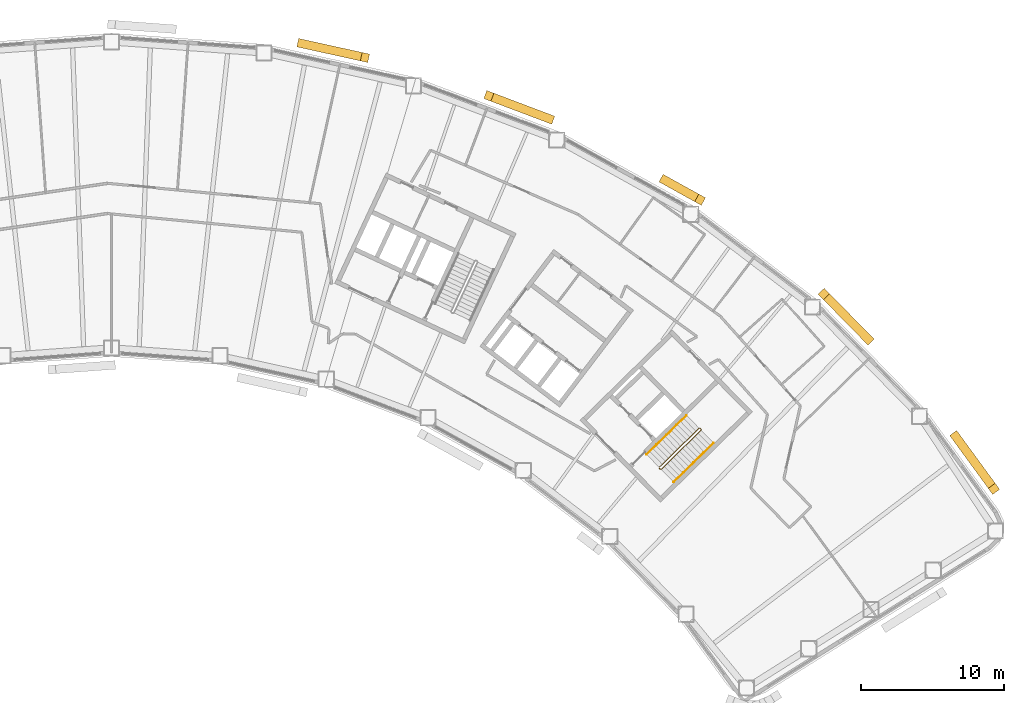
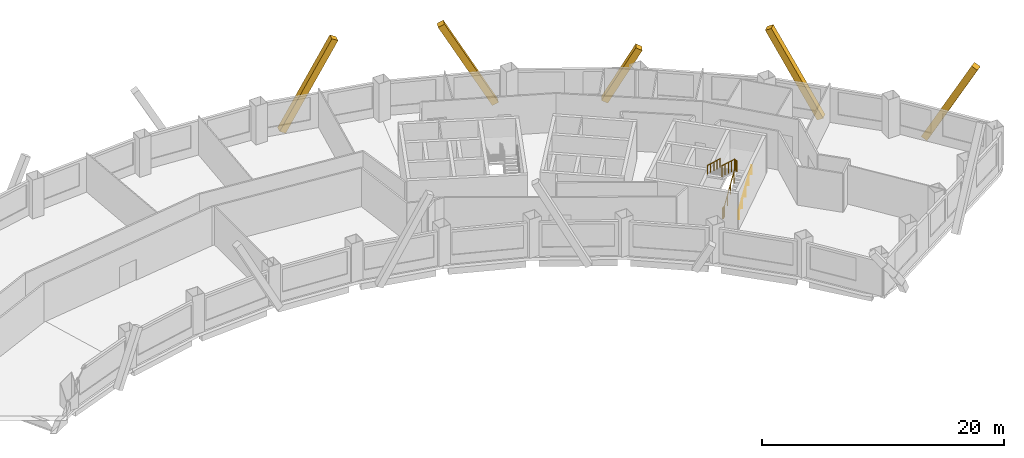
# One storey, part 11 of 11: 5 coverings, 3 railings.
"""IFC4 building model written with IfcOpenShell, lengths in metres."""

from ifc_helpers import new_model, si_unit, direction, frame, origin, origin_2d, place, context, subcontext, project, spatial, rectangle, circle, extrude, material, material_profile, profile_set, type_object, element, save


model = new_model("IFC4")

# Units and contexts
model_context = context("Model", 3, precision=1e-05, world=origin(), true_north=direction((0.0, 1.0)))
body_context = subcontext(model_context, "Body", "Model", "MODEL_VIEW")
ifc_project = project(units=[si_unit("LENGTHUNIT", "METRE"), si_unit("AREAUNIT", "SQUARE_METRE"), si_unit("VOLUMEUNIT", "CUBIC_METRE"), si_unit("PLANEANGLEUNIT", "RADIAN"), si_unit("MASSUNIT", "GRAM", prefix="KILO")], contexts=[model_context])

# Site, building, storey
site_placement = place(None, origin())
site = spatial("IfcSite", under=ifc_project, at=site_placement, CompositionType="ELEMENT")
building_placement = place(site_placement, origin())
building = spatial("IfcBuilding", under=site, at=building_placement, Name="Tuul Gate Civic Tower", CompositionType="ELEMENT")
storey_placement = place(building_placement, frame((0.0, 0.0, 116.10009765625)))
storey = spatial("IfcBuildingStorey", under=building, at=storey_placement, Name="Level 26", CompositionType="ELEMENT", Elevation=116.10009765625)

# Railings
ifc_material_1 = material(Name="Painted steel", Category="steel")
railing_type_1 = type_object("IfcRailingType", Name="Stair guard", PredefinedType="GUARDRAIL", material=ifc_material_1)
railing_1_placement = place(storey_placement, frame((48.10546875, -16.134765625, 0.0)))
element("IfcRailing", 1, at=railing_1_placement, inside=storey, type_object=railing_type_1, Name="Level 26 ST-3 stair guard 1", PredefinedType="GUARDRAIL", context=body_context, shape_type="SweptSolid", body=[
    extrude(circle(Radius=0.02392578125, at=origin_2d()), frame((0.0, 0.0, 1.076171875), z_axis=(-0.698506948293, 0.715603272202, 0.0), x_axis=(-0.715603272202, -0.698506948293, 0.0)), (0.0, 0.0, 1.0), 0.099853515625),
    extrude(circle(Radius=0.02392578125, at=origin_2d()), frame((-0.06982421875, 0.071533203125, 1.076171875), z_axis=(0.645446321009, -0.331687692741, 0.688027849131), x_axis=(0.457068866502, 0.889431307788, 0.0)), (0.0, 0.0, 1.0), 0.2177734375),
    extrude(circle(Radius=0.02392578125, at=origin_2d()), frame((0.07080078125, -0.000732421875, 1.22607421875), z_axis=(0.638731261263, 0.626133563701, 0.447190268558), x_axis=(-0.700029477518, 0.714113947914, 0.0)), (0.0, 0.0, 1.0), 4.3603515625),
    extrude(circle(Radius=0.02392578125, at=origin_2d()), frame((2.85595703125, 2.7294921875, 3.17578125), z_axis=(0.010380063588, 0.999946125689, 0.0), x_axis=(-0.999946125689, 0.010380063588, 0.0)), (0.0, 0.0, 1.0), 0.070556640625),
    extrude(circle(Radius=0.02392578125, at=origin_2d()), frame((2.856689453125, 2.800048828125, 3.17578125), z_axis=(-0.699754442181, 0.714383454909, 0.0), x_axis=(-0.714383454909, -0.699754442181, 0.0)), (0.0, 0.0, 1.0), 0.10009765625),
    extrude(circle(Radius=0.02392578125, at=origin_2d()), frame((2.78662109375, 2.87158203125, 3.17578125), z_axis=(-0.426501027327, 0.004412079593, 0.904476316574), x_axis=(-0.010344274102, -0.999946496565, 0.0)), (0.0, 0.0, 1.0), 0.166015625),
    extrude(circle(Radius=0.02392578125, at=origin_2d()), frame((2.7158203125, 2.872314453125, 3.326171875), z_axis=(-0.638731261263, -0.626133563701, 0.447190268558), x_axis=(0.700029477518, -0.714113947914, 0.0)), (0.0, 0.0, 1.0), 4.3603515625),
    extrude(circle(Radius=0.02099609375, at=origin_2d()), origin(), (0.0, 0.0, 1.0), 1.052001953125),
    extrude(circle(Radius=0.02099609375, at=origin_2d()), frame((-0.06982421875, 0.071533203125, 0.0)), (0.0, 0.0, 1.0), 1.052001953125),
    extrude(circle(Radius=0.02099609375, at=origin_2d()), frame((0.07080078125, -0.000732421875, 0.14990234375)), (0.0, 0.0, 1.0), 1.052001953125),
    extrude(circle(Radius=0.02099609375, at=origin_2d()), frame((0.76708984375, 0.681884765625, 0.637451171875)), (0.0, 0.0, 1.0), 1.052001953125),
    extrude(circle(Radius=0.02099609375, at=origin_2d()), frame((1.46337890625, 1.3642578125, 1.125)), (0.0, 0.0, 1.0), 1.052001953125),
    extrude(circle(Radius=0.02099609375, at=origin_2d()), frame((2.15966796875, 2.046875, 1.6123046875)), (0.0, 0.0, 1.0), 1.052001953125),
    extrude(circle(Radius=0.02099609375, at=origin_2d()), frame((2.85595703125, 2.7294921875, 2.099853515625)), (0.0, 0.0, 1.0), 1.052001953125),
    extrude(circle(Radius=0.02099609375, at=origin_2d()), frame((2.856689453125, 2.800048828125, 2.099853515625)), (0.0, 0.0, 1.0), 1.052001953125),
    extrude(circle(Radius=0.02099609375, at=origin_2d()), frame((2.78662109375, 2.87158203125, 2.099853515625)), (0.0, 0.0, 1.0), 1.052001953125),
    extrude(circle(Radius=0.02099609375, at=origin_2d()), frame((2.7158203125, 2.872314453125, 2.25)), (0.0, 0.0, 1.0), 1.052001953125),
    extrude(circle(Radius=0.02099609375, at=origin_2d()), frame((2.01953125, 2.189697265625, 2.737548828125)), (0.0, 0.0, 1.0), 1.052001953125),
    extrude(circle(Radius=0.02099609375, at=origin_2d()), frame((1.3232421875, 1.50732421875, 3.22509765625)), (0.0, 0.0, 1.0), 1.052001953125),
    extrude(circle(Radius=0.02099609375, at=origin_2d()), frame((0.626953125, 0.82470703125, 3.71240234375)), (0.0, 0.0, 1.0), 1.052001953125),
    extrude(circle(Radius=0.02099609375, at=origin_2d()), frame((-0.0693359375, 0.14208984375, 4.199951171875)), (0.0, 0.0, 1.0), 1.052001953125),
])
ifc_material_2 = material(Name="Painted steel", Category="steel")
railing_type_2 = type_object("IfcRailingType", Name="Stair handrail", PredefinedType="HANDRAIL", material=ifc_material_2)
railing_2_placement = place(storey_placement, frame((49.05126953125, -17.028076171875, 0.14990234375)))
element("IfcRailing", 2, at=railing_2_placement, inside=storey, type_object=railing_type_2, Name="Level 26 ST-3 stair handrail 1", PredefinedType="HANDRAIL", context=body_context, shape_type="SweptSolid", body=[
    extrude(circle(Radius=0.02392578125, at=origin_2d()), frame((0.0, 0.0, 0.8759765625), z_axis=(0.638753653487, 0.626099522554, 0.447205945863), x_axis=(-0.699997553204, 0.714145241186, 0.0)), (0.0, 0.0, 1.0), 4.3603515625),
    extrude(circle(Radius=0.02099609375, at=origin_2d()), origin(), (0.0, 0.0, 1.0), 0.851806640625),
    extrude(circle(Radius=0.02099609375, at=origin_2d()), frame((0.6962890625, 0.6826171875, 0.487548828125)), (0.0, 0.0, 1.0), 0.851806640625),
    extrude(circle(Radius=0.02099609375, at=origin_2d()), frame((1.392578125, 1.364990234375, 0.97509765625)), (0.0, 0.0, 1.0), 0.851806640625),
    extrude(circle(Radius=0.02099609375, at=origin_2d()), frame((2.0888671875, 2.04736328125, 1.46240234375)), (0.0, 0.0, 1.0), 0.851806640625),
    extrude(circle(Radius=0.02099609375, at=origin_2d()), frame((2.78515625, 2.72998046875, 1.949951171875)), (0.0, 0.0, 1.0), 0.851806640625),
])
railing_3_placement = place(storey_placement, frame((49.9462890625, -12.369873046875, 2.25)))
element("IfcRailing", 3, at=railing_3_placement, inside=storey, type_object=railing_type_2, Name="Level 26 ST-3 stair handrail 2", PredefinedType="HANDRAIL", context=body_context, shape_type="SweptSolid", body=[
    extrude(circle(Radius=0.02392578125, at=origin_2d()), frame((0.0, 0.0, 0.8759765625), z_axis=(-0.638753653487, -0.626099522554, 0.447205945863), x_axis=(0.699997553204, -0.714145241186, 0.0)), (0.0, 0.0, 1.0), 4.3603515625),
    extrude(circle(Radius=0.02099609375, at=origin_2d()), origin(), (0.0, 0.0, 1.0), 0.851806640625),
    extrude(circle(Radius=0.02099609375, at=origin_2d()), frame((-0.6962890625, -0.6826171875, 0.487548828125)), (0.0, 0.0, 1.0), 0.851806640625),
    extrude(circle(Radius=0.02099609375, at=origin_2d()), frame((-1.392578125, -1.364990234375, 0.97509765625)), (0.0, 0.0, 1.0), 0.851806640625),
    extrude(circle(Radius=0.02099609375, at=origin_2d()), frame((-2.0888671875, -2.04736328125, 1.46240234375)), (0.0, 0.0, 1.0), 0.851806640625),
    extrude(circle(Radius=0.02099609375, at=origin_2d()), frame((-2.78515625, -2.72998046875, 1.949951171875)), (0.0, 0.0, 1.0), 0.851806640625),
])

# Coverings
ifc_material_3 = material(Name="Terracotta baguette", Category="masonry")
ifc_material_profile = material_profile(ifc_material_3, rectangle(XDim=0.60009765625, YDim=0.60009765625, at=origin_2d()), Name="Terracotta baguette screen frame")
ifc_profile_set = profile_set([ifc_material_profile], Name="Terracotta baguette")
covering_type = type_object("IfcCoveringType", Name="Terracotta baguette screen frame", PredefinedType="CLADDING", material=ifc_profile_set)
covering_1_placement = place(storey_placement, frame((71.388427734375, -17.49755859375, 8.0498046875), z_axis=(-0.281370554037, 0.385233710888, -0.878877465473), x_axis=(-0.807537279361, -0.589816532866, 0.0)))
element("IfcCovering", 4, at=covering_1_placement, inside=storey, type_object=covering_type, Name="Baguette 19", PredefinedType="CLADDING", context=body_context, shape_type="SweptSolid", body=[
    extrude(rectangle(XDim=0.60009765625, YDim=0.60009765625, at=origin_2d()), origin(), (0.0, 0.0, 1.0), 9.5576171875),
])
covering_2_placement = place(storey_placement, frame((59.522705078125, -3.902099609375, 7.88134765625), z_axis=(0.332609882094, -0.339342981316, -0.879896020769), x_axis=(0.714156278257, 0.699986292885, 0.0)))
element("IfcCovering", 5, at=covering_2_placement, inside=storey, type_object=covering_type, Name="Baguette 35", PredefinedType="CLADDING", context=body_context, shape_type="SweptSolid", body=[
    extrude(rectangle(XDim=0.60009765625, YDim=0.60009765625, at=origin_2d()), origin(), (0.0, 0.0, 1.0), 9.35498046875),
])
covering_3_placement = place(storey_placement, frame((50.88916015625, 2.671630859375, 4.92431640625), z_axis=(-0.41562619347, 0.230355879497, -0.879881262491), x_axis=(-0.484762160547, -0.874646012797, 0.0)))
element("IfcCovering", 6, at=covering_3_placement, inside=storey, type_object=covering_type, Name="Baguette 42", PredefinedType="CLADDING", context=body_context, shape_type="SweptSolid", body=[
    extrude(rectangle(XDim=0.60009765625, YDim=0.60009765625, at=origin_2d()), origin(), (0.0, 0.0, 1.0), 5.994384765625),
])
for number, where, z_axis, x_axis, name in (
    (7, (36.15478515625, 9.914794921875, 8.0498046875), (0.444450917783, -0.168046894571, -0.879899780036), (0.353664314999, 0.935372413692, 0.0), "Baguette 56"),
    (8, (27.510986328125, 12.593505859375, 8.0498046875), (-0.464037985813, 0.102244357524, -0.879894788641), (-0.215174921103, -0.976575523617, 0.0), "Baguette 61"),
):
    element("IfcCovering", number, at=place(storey_placement, frame(where, z_axis=z_axis, x_axis=x_axis)), inside=storey, type_object=covering_type, Name=name, PredefinedType="CLADDING", context=body_context, shape_type="SweptSolid", body=[
        extrude(rectangle(XDim=0.60009765625, YDim=0.60009765625, at=origin_2d()), origin(), (0.0, 0.0, 1.0), 9.54638671875),
    ])

save(model, "model.ifc")
